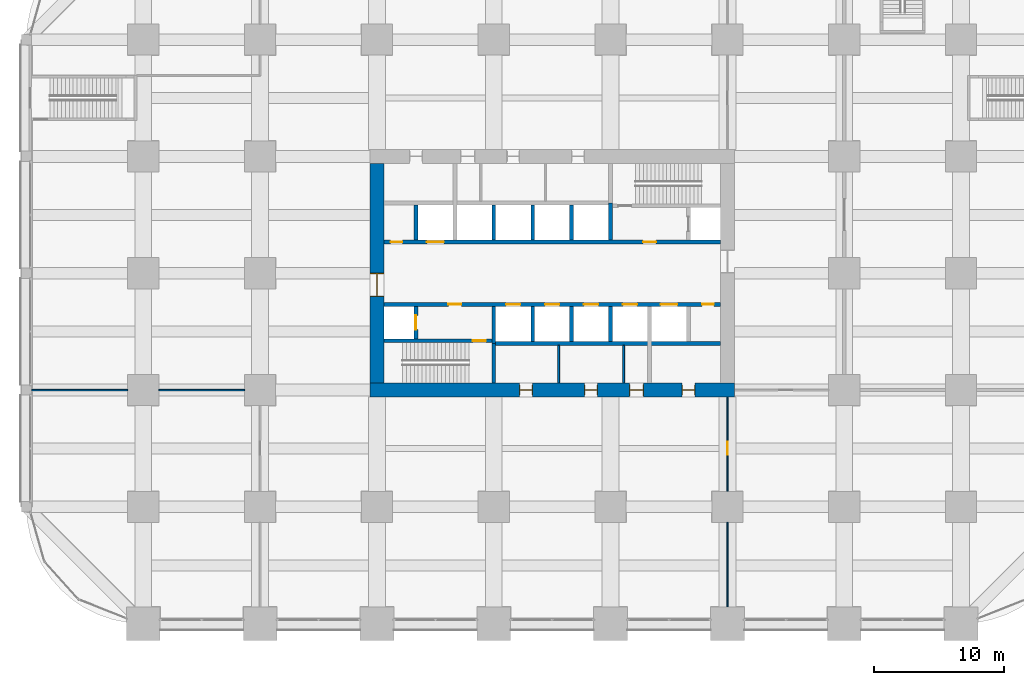
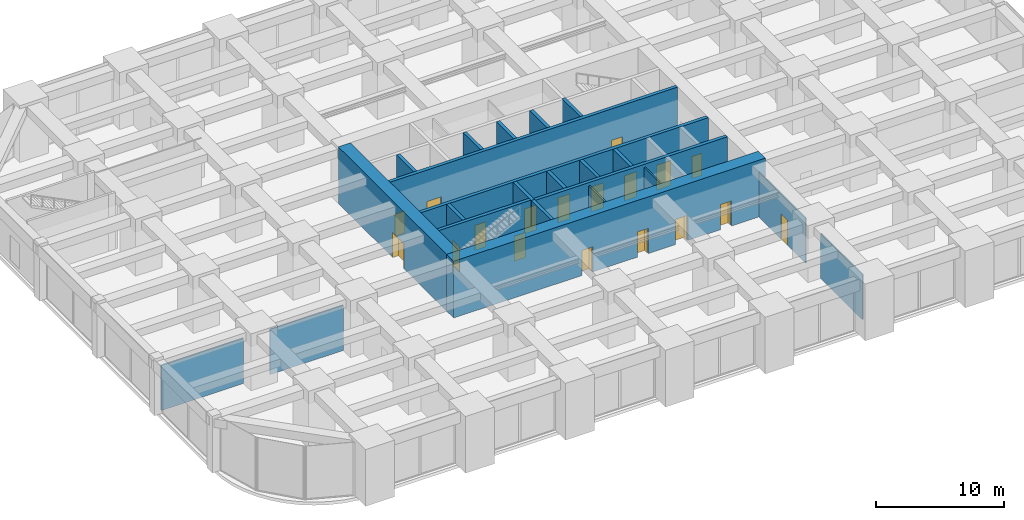
# One storey, part 42 of 45: 23 walls, 18 doors, 18 openings.
"""IFC4 building model written with IfcOpenShell, lengths in metres."""

from ifc_helpers import new_model, si_unit, direction, frame, frame_2d, origin, place, context, subcontext, project, spatial, rectangle, extrude, material, layer, layer_set, type_object, element, fill, save


model = new_model("IFC4")

# Units and contexts
model_context = context("Model", 3, precision=1e-05, world=origin(), true_north=direction((0.0, 1.0)))
body_context = subcontext(model_context, "Body", "Model", "MODEL_VIEW")
ifc_project = project(units=[si_unit("LENGTHUNIT", "METRE"), si_unit("AREAUNIT", "SQUARE_METRE"), si_unit("VOLUMEUNIT", "CUBIC_METRE"), si_unit("PLANEANGLEUNIT", "RADIAN"), si_unit("MASSUNIT", "GRAM", prefix="KILO")], contexts=[model_context])

# Site, building, storey
site_placement = place(None, origin())
site = spatial("IfcSite", under=ifc_project, at=site_placement, CompositionType="ELEMENT")
building_placement = place(site_placement, origin())
building = spatial("IfcBuilding", under=site, at=building_placement, Name="Zorevar Civic Tower", CompositionType="ELEMENT")
storey_placement = place(building_placement, frame((0.0, 0.0, 5.39990234375)))
storey = spatial("IfcBuildingStorey", under=building, at=storey_placement, Name="L01", CompositionType="ELEMENT", Elevation=5.39990234375)

# Wall, openings, doors
ifc_material_1 = material(Name="Concrete C50/60", Category="concrete")
ifc_layer_1 = layer(ifc_material_1, 1.10009765625)
ifc_layer_set_1 = layer_set([ifc_layer_1], Name="Core wall 1100")
wall_type_1 = type_object("IfcWallType", Name="Core wall 1100", PredefinedType="SHEAR", material=ifc_layer_set_1)
wall_1_placement = place(storey_placement, frame((17.449951171875, 18.0, 0.0), z_axis=(0.0, 0.0, 1.0), x_axis=(1.0, 0.0, 0.0)))
wall_1 = element("IfcWall", 1, at=wall_1_placement, inside=storey, type_object=wall_type_1, Name="Core wall S L01", PredefinedType="SHEAR", context=body_context, shape_type="SweptSolid", body=[
    extrude(rectangle(XDim=28.10009765625, YDim=1.10009765625, at=frame_2d((14.050048828125, 0.0))), origin(), (0.0, 0.0, 1.0), 5.400146484375),
])
opening_1_placement = place(wall_1_placement, frame((11.550048828125, 0.0, 0.0)))
opening_1 = element("IfcOpeningElement", 2, at=opening_1_placement, cuts=wall_1, Name="Opening L01.03", PredefinedType="OPENING", context=body_context, shape_type="SweptSolid", body=[
    extrude(rectangle(XDim=1.0, YDim=2.39990234375, at=frame_2d((0.5, 1.199951171875))), frame((0.0, 0.56005859375, 0.0), z_axis=(0.0, -1.0, 0.0), x_axis=(1.0, 0.0, 0.0)), (0.0, 0.0, 1.0), 1.1201171875),
])
opening_2_placement = place(wall_1_placement, frame((16.550048828125, 0.0, 0.0)))
opening_2 = element("IfcOpeningElement", 3, at=opening_2_placement, cuts=wall_1, Name="Opening L01.04", PredefinedType="OPENING", context=body_context, shape_type="SweptSolid", body=[
    extrude(rectangle(XDim=1.0, YDim=2.39990234375, at=frame_2d((0.5, 1.199951171875))), frame((0.0, 0.56005859375, 0.0), z_axis=(0.0, -1.0, 0.0), x_axis=(1.0, 0.0, 0.0)), (0.0, 0.0, 1.0), 1.1201171875),
])
opening_3_placement = place(wall_1_placement, frame((20.0, 0.0, 0.0)))
opening_3 = element("IfcOpeningElement", 4, at=opening_3_placement, cuts=wall_1, Name="Opening L01.05", PredefinedType="OPENING", context=body_context, shape_type="SweptSolid", body=[
    extrude(rectangle(XDim=1.10009765625, YDim=2.39990234375, at=frame_2d((0.550048828125, 1.199951171875))), frame((0.0, 0.56005859375, 0.0), z_axis=(0.0, -1.0, 0.0), x_axis=(1.0, 0.0, 0.0)), (0.0, 0.0, 1.0), 1.1201171875),
])
opening_4_placement = place(wall_1_placement, frame((24.050048828125, 0.0, 0.0)))
opening_4 = element("IfcOpeningElement", 5, at=opening_4_placement, cuts=wall_1, Name="Opening L01.06", PredefinedType="OPENING", context=body_context, shape_type="SweptSolid", body=[
    extrude(rectangle(XDim=1.0, YDim=2.39990234375, at=frame_2d((0.5, 1.199951171875))), frame((0.0, 0.56005859375, 0.0), z_axis=(0.0, -1.0, 0.0), x_axis=(1.0, 0.0, 0.0)), (0.0, 0.0, 1.0), 1.1201171875),
])
ifc_material_2 = material(Name="Timber door set", Category="wood")
door_type_1 = type_object("IfcDoorType", Name="Door D1 1000x2400", OperationType="SINGLE_SWING_LEFT", PredefinedType="DOOR", material=ifc_material_2)
door_1_placement = place(opening_1_placement, origin())
door_1 = element("IfcDoor", 6, at=door_1_placement, inside=storey, type_object=door_type_1, Name="Door L01 02", OperationType="SINGLE_SWING_LEFT", OverallHeight=2.39990234375, OverallWidth=1.0, PredefinedType="DOOR", context=body_context, shape_type="SweptSolid", body=[
    extrude(rectangle(XDim=1.0, YDim=2.39990234375, at=frame_2d((0.5, 1.199951171875))), frame((0.0, 0.02490234375, 0.0), z_axis=(0.0, -1.0, 0.0), x_axis=(1.0, 0.0, 0.0)), (0.0, 0.0, 1.0), 0.050048828125),
    extrude(rectangle(XDim=0.04, YDim=2.39990234375, at=frame_2d((0.02001953125, 1.199951171875))), frame((0.0, 0.39990234375, 0.0), z_axis=(0.0, -1.0, 0.0), x_axis=(1.0, 0.0, 0.0)), (0.0, 0.0, 1.0), 0.800048828125),
    extrude(rectangle(XDim=0.04, YDim=2.39990234375, at=frame_2d((0.97998046875, 1.199951171875))), frame((0.0, 0.39990234375, 0.0), z_axis=(0.0, -1.0, 0.0), x_axis=(1.0, 0.0, 0.0)), (0.0, 0.0, 1.0), 0.800048828125),
    extrude(rectangle(XDim=1.0, YDim=0.04, at=frame_2d((0.5, 2.3798828125))), frame((0.0, 0.39990234375, 0.0), z_axis=(0.0, -1.0, 0.0), x_axis=(1.0, 0.0, 0.0)), (0.0, 0.0, 1.0), 0.800048828125),
])
fill(opening_1, door_1)
door_2_placement = place(opening_2_placement, origin())
door_2 = element("IfcDoor", 7, at=door_2_placement, inside=storey, type_object=door_type_1, Name="Door L01 03", OperationType="SINGLE_SWING_RIGHT", OverallHeight=2.39990234375, OverallWidth=1.0, PredefinedType="DOOR", context=body_context, shape_type="SweptSolid", body=[
    extrude(rectangle(XDim=1.0, YDim=2.39990234375, at=frame_2d((0.5, 1.199951171875))), frame((0.0, 0.02490234375, 0.0), z_axis=(0.0, -1.0, 0.0), x_axis=(1.0, 0.0, 0.0)), (0.0, 0.0, 1.0), 0.050048828125),
    extrude(rectangle(XDim=0.04, YDim=2.39990234375, at=frame_2d((0.02001953125, 1.199951171875))), frame((0.0, 0.39990234375, 0.0), z_axis=(0.0, -1.0, 0.0), x_axis=(1.0, 0.0, 0.0)), (0.0, 0.0, 1.0), 0.800048828125),
    extrude(rectangle(XDim=0.04, YDim=2.39990234375, at=frame_2d((0.97998046875, 1.199951171875))), frame((0.0, 0.39990234375, 0.0), z_axis=(0.0, -1.0, 0.0), x_axis=(1.0, 0.0, 0.0)), (0.0, 0.0, 1.0), 0.800048828125),
    extrude(rectangle(XDim=1.0, YDim=0.04, at=frame_2d((0.5, 2.3798828125))), frame((0.0, 0.39990234375, 0.0), z_axis=(0.0, -1.0, 0.0), x_axis=(1.0, 0.0, 0.0)), (0.0, 0.0, 1.0), 0.800048828125),
])
fill(opening_2, door_2)
door_3_placement = place(opening_4_placement, origin())
door_3 = element("IfcDoor", 8, at=door_3_placement, inside=storey, type_object=door_type_1, Name="Door L01 05", OperationType="SINGLE_SWING_RIGHT", OverallHeight=2.39990234375, OverallWidth=1.0, PredefinedType="DOOR", context=body_context, shape_type="SweptSolid", body=[
    extrude(rectangle(XDim=1.0, YDim=2.39990234375, at=frame_2d((0.5, 1.199951171875))), frame((0.0, 0.02490234375, 0.0), z_axis=(0.0, -1.0, 0.0), x_axis=(1.0, 0.0, 0.0)), (0.0, 0.0, 1.0), 0.050048828125),
    extrude(rectangle(XDim=0.04, YDim=2.39990234375, at=frame_2d((0.02001953125, 1.199951171875))), frame((0.0, 0.39990234375, 0.0), z_axis=(0.0, -1.0, 0.0), x_axis=(1.0, 0.0, 0.0)), (0.0, 0.0, 1.0), 0.800048828125),
    extrude(rectangle(XDim=0.04, YDim=2.39990234375, at=frame_2d((0.97998046875, 1.199951171875))), frame((0.0, 0.39990234375, 0.0), z_axis=(0.0, -1.0, 0.0), x_axis=(1.0, 0.0, 0.0)), (0.0, 0.0, 1.0), 0.800048828125),
    extrude(rectangle(XDim=1.0, YDim=0.04, at=frame_2d((0.5, 2.3798828125))), frame((0.0, 0.39990234375, 0.0), z_axis=(0.0, -1.0, 0.0), x_axis=(1.0, 0.0, 0.0)), (0.0, 0.0, 1.0), 0.800048828125),
])
fill(opening_4, door_3)
ifc_material_3 = material(Name="Timber door set", Category="wood")
door_type_2 = type_object("IfcDoorType", Name="Door D5 1100x2400", OperationType="SINGLE_SWING_LEFT", PredefinedType="DOOR", material=ifc_material_3)
door_4_placement = place(opening_3_placement, origin())
door_4 = element("IfcDoor", 9, at=door_4_placement, inside=storey, type_object=door_type_2, Name="Door L01 04", OperationType="SINGLE_SWING_RIGHT", OverallHeight=2.39990234375, OverallWidth=1.10009765625, PredefinedType="DOOR", context=body_context, shape_type="SweptSolid", body=[
    extrude(rectangle(XDim=1.10009765625, YDim=2.39990234375, at=frame_2d((0.550048828125, 1.199951171875))), frame((0.0, 0.02490234375, 0.0), z_axis=(0.0, -1.0, 0.0), x_axis=(1.0, 0.0, 0.0)), (0.0, 0.0, 1.0), 0.050048828125),
    extrude(rectangle(XDim=0.04, YDim=2.39990234375, at=frame_2d((0.02001953125, 1.199951171875))), frame((0.0, 0.43994140625, 0.0), z_axis=(0.0, -1.0, 0.0), x_axis=(1.0, 0.0, 0.0)), (0.0, 0.0, 1.0), 0.880126953125),
    extrude(rectangle(XDim=0.04, YDim=2.39990234375, at=frame_2d((1.080078125, 1.199951171875))), frame((0.0, 0.43994140625, 0.0), z_axis=(0.0, -1.0, 0.0), x_axis=(1.0, 0.0, 0.0)), (0.0, 0.0, 1.0), 0.880126953125),
    extrude(rectangle(XDim=1.10009765625, YDim=0.04, at=frame_2d((0.550048828125, 2.3798828125))), frame((0.0, 0.43994140625, 0.0), z_axis=(0.0, -1.0, 0.0), x_axis=(1.0, 0.0, 0.0)), (0.0, 0.0, 1.0), 0.880126953125),
])
fill(opening_3, door_4)

# Wall, opening, door
wall_2_placement = place(storey_placement, frame((18.0, 35.449951171875, 0.0), z_axis=(0.0, 0.0, 1.0), x_axis=(0.0, -1.0, 0.0)))
wall_2 = element("IfcWall", 10, at=wall_2_placement, inside=storey, type_object=wall_type_1, Name="Core wall W L01", PredefinedType="SHEAR", context=body_context, shape_type="SweptSolid", body=[
    extrude(rectangle(XDim=16.89990234375, YDim=1.10009765625, at=frame_2d((8.449951171875, 0.0))), origin(), (0.0, 0.0, 1.0), 5.400146484375),
])
opening_5_placement = place(wall_2_placement, frame((8.449951171875, 0.0, 0.0)))
opening_5 = element("IfcOpeningElement", 11, at=opening_5_placement, cuts=wall_2, Name="Opening L01.01", PredefinedType="OPENING", context=body_context, shape_type="SweptSolid", body=[
    extrude(rectangle(XDim=1.800048828125, YDim=2.39990234375, at=frame_2d((0.89990234375, 1.199951171875))), frame((0.0, 0.56005859375, 0.0), z_axis=(0.0, -1.0, 0.0), x_axis=(1.0, 0.0, 0.0)), (0.0, 0.0, 1.0), 1.1201171875),
])
ifc_material_4 = material(Name="Steel door set", Category="steel")
door_type_3 = type_object("IfcDoorType", Name="Fire door FD2 1800x2400", OperationType="DOUBLE_DOOR_DOUBLE_SWING", PredefinedType="DOOR", material=ifc_material_4)
door_5_placement = place(opening_5_placement, origin())
door_5 = element("IfcDoor", 12, at=door_5_placement, inside=storey, type_object=door_type_3, Name="Door L01 00", OperationType="DOUBLE_DOOR_DOUBLE_SWING", OverallHeight=2.39990234375, OverallWidth=1.800048828125, PredefinedType="DOOR", context=body_context, shape_type="SweptSolid", body=[
    extrude(rectangle(XDim=1.800048828125, YDim=2.39990234375, at=frame_2d((0.89990234375, 1.199951171875))), frame((0.0, 0.030029296875, 0.0), z_axis=(0.0, -1.0, 0.0), x_axis=(1.0, 0.0, 0.0)), (0.0, 0.0, 1.0), 0.06005859375),
    extrude(rectangle(XDim=0.04, YDim=2.39990234375, at=frame_2d((0.02001953125, 1.199951171875))), frame((0.0, 0.5498046875, 0.0), z_axis=(0.0, -1.0, 0.0), x_axis=(1.0, 0.0, 0.0)), (0.0, 0.0, 1.0), 1.099609375),
    extrude(rectangle(XDim=0.04, YDim=2.39990234375, at=frame_2d((1.780029296875, 1.199951171875))), frame((0.0, 0.5498046875, 0.0), z_axis=(0.0, -1.0, 0.0), x_axis=(1.0, 0.0, 0.0)), (0.0, 0.0, 1.0), 1.099609375),
    extrude(rectangle(XDim=1.800048828125, YDim=0.04, at=frame_2d((0.89990234375, 2.3798828125))), frame((0.0, 0.5498046875, 0.0), z_axis=(0.0, -1.0, 0.0), x_axis=(1.0, 0.0, 0.0)), (0.0, 0.0, 1.0), 1.099609375),
])
fill(opening_5, door_5)

# Wall
ifc_material_5 = material(Name="Laminated glass in black aluminium frame", Category="aluminium")
ifc_layer_2 = layer(ifc_material_5, 0.10009765625)
ifc_layer_set_2 = layer_set([ifc_layer_2], Name="Glazed partition 100")
wall_type_2 = type_object("IfcWallType", Name="Glazed partition 100", PredefinedType="PARTITIONING", material=ifc_layer_set_2)
wall_3_placement = place(storey_placement, frame((45.0, 1.300048828125, 0.0), z_axis=(0.0, 0.0, 1.0), x_axis=(0.0, 1.0, 0.0)))
element("IfcWall", 13, at=wall_3_placement, inside=storey, type_object=wall_type_2, Name="Glazed partition 100 L01", PredefinedType="PARTITIONING", context=body_context, shape_type="SweptSolid", body=[
    extrude(rectangle(XDim=6.5, YDim=0.10009765625, at=frame_2d((3.25, 0.0))), origin(), (0.0, 0.0, 1.0), 4.300048828125),
])

# Wall, opening, door
wall_4_placement = place(storey_placement, frame((45.0, 10.199951171875, 0.0), z_axis=(0.0, 0.0, 1.0), x_axis=(0.0, 1.0, 0.0)))
wall_4 = element("IfcWall", 14, at=wall_4_placement, inside=storey, type_object=wall_type_2, Name="Glazed partition 100 L01", PredefinedType="PARTITIONING", context=body_context, shape_type="SweptSolid", body=[
    extrude(rectangle(XDim=7.25, YDim=0.10009765625, at=frame_2d((3.625, 0.0))), origin(), (0.0, 0.0, 1.0), 4.300048828125),
])
opening_6_placement = place(wall_4_placement, frame((2.800048828125, 0.0, 0.0)))
opening_6 = element("IfcOpeningElement", 15, at=opening_6_placement, cuts=wall_4, Name="Opening L01.19", PredefinedType="OPENING", context=body_context, shape_type="SweptSolid", body=[
    extrude(rectangle(XDim=1.0, YDim=2.39990234375, at=frame_2d((0.5, 1.199951171875))), frame((0.0, 0.06005859375, 0.0), z_axis=(0.0, -1.0, 0.0), x_axis=(1.0, 0.0, 0.0)), (0.0, 0.0, 1.0), 0.1201171875),
])
ifc_material_6 = material(Name="Timber door set", Category="wood")
door_type_4 = type_object("IfcDoorType", Name="Glazed door GD1 1000x2400", OperationType="SINGLE_SWING_LEFT", PredefinedType="DOOR", material=ifc_material_6)
door_6_placement = place(opening_6_placement, origin())
door_6 = element("IfcDoor", 16, at=door_6_placement, inside=storey, type_object=door_type_4, Name="Door L01 D5", OperationType="SINGLE_SWING_RIGHT", OverallHeight=2.39990234375, OverallWidth=1.0, PredefinedType="DOOR", context=body_context, shape_type="SweptSolid", body=[
    extrude(rectangle(XDim=1.0, YDim=2.39990234375, at=frame_2d((0.5, 1.199951171875))), frame((0.0, 0.02001953125, 0.0), z_axis=(0.0, -1.0, 0.0), x_axis=(1.0, 0.0, 0.0)), (0.0, 0.0, 1.0), 0.0400390625),
])
fill(opening_6, door_6)

ifc_material_7 = material(Name="Concrete C40/50", Category="concrete")
ifc_layer_3 = layer(ifc_material_7, 0.300048828125)
ifc_layer_set_3 = layer_set([ifc_layer_3], Name="Inner core wall 300")
wall_type_3 = type_object("IfcWallType", Name="Inner core wall 300", PredefinedType="SHEAR", material=ifc_layer_set_3)
wall_5_placement = place(storey_placement, frame((18.550048828125, 21.800048828125, 0.0), z_axis=(0.0, 0.0, 1.0), x_axis=(1.0, 0.0, 0.0)))
wall_5 = element("IfcWall", 17, at=wall_5_placement, inside=storey, type_object=wall_type_3, Name="Inner core wall S00 L01", PredefinedType="SHEAR", context=body_context, shape_type="SweptSolid", body=[
    extrude(rectangle(XDim=8.300048828125, YDim=0.300048828125, at=frame_2d((4.14990234375, 0.0))), origin(), (0.0, 0.0, 1.0), 5.400146484375),
])
opening_7_placement = place(wall_5_placement, frame((6.85009765625, 0.0, 0.0)))
opening_7 = element("IfcOpeningElement", 18, at=opening_7_placement, cuts=wall_5, Name="Opening L01.11", PredefinedType="OPENING", context=body_context, shape_type="SweptSolid", body=[
    extrude(rectangle(XDim=1.0, YDim=2.39990234375, at=frame_2d((0.5, 1.199951171875))), frame((0.0, 0.159912109375, 0.0), z_axis=(0.0, -1.0, 0.0), x_axis=(1.0, 0.0, 0.0)), (0.0, 0.0, 1.0), 0.320068359375),
])
ifc_material_8 = material(Name="Steel door set", Category="steel")
door_type_5 = type_object("IfcDoorType", Name="Fire door FD1 1000x2400", OperationType="SINGLE_SWING_LEFT", PredefinedType="DOOR", material=ifc_material_8)
door_7_placement = place(opening_7_placement, origin())
door_7 = element("IfcDoor", 19, at=door_7_placement, inside=storey, type_object=door_type_5, Name="Door L01 10", OperationType="SINGLE_SWING_RIGHT", OverallHeight=2.39990234375, OverallWidth=1.0, PredefinedType="DOOR", context=body_context, shape_type="SweptSolid", body=[
    extrude(rectangle(XDim=1.0, YDim=2.39990234375, at=frame_2d((0.5, 1.199951171875))), frame((0.0, 0.030029296875, 0.0), z_axis=(0.0, -1.0, 0.0), x_axis=(1.0, 0.0, 0.0)), (0.0, 0.0, 1.0), 0.06005859375),
])
fill(opening_7, door_7)

# Wall
wall_6_placement = place(storey_placement, frame((27.0, 18.550048828125, 0.0), z_axis=(0.0, 0.0, 1.0), x_axis=(0.0, 1.0, 0.0)))
element("IfcWall", 20, at=wall_6_placement, inside=storey, type_object=wall_type_3, Name="Inner core wall S01 L01", PredefinedType="SHEAR", context=body_context, shape_type="SweptSolid", body=[
    extrude(rectangle(XDim=3.050048828125, YDim=0.300048828125, at=frame_2d((1.52490234375, 0.0))), origin(), (0.0, 0.0, 1.0), 5.400146484375),
])

# Wall, opening, door
wall_7_placement = place(storey_placement, frame((21.0, 21.949951171875, 0.0), z_axis=(0.0, 0.0, 1.0), x_axis=(0.0, 1.0, 0.0)))
wall_7 = element("IfcWall", 21, at=wall_7_placement, inside=storey, type_object=wall_type_3, Name="Inner core wall S02 L01", PredefinedType="SHEAR", context=body_context, shape_type="SweptSolid", body=[
    extrude(rectangle(XDim=2.5, YDim=0.300048828125, at=frame_2d((1.25, 0.0))), origin(), (0.0, 0.0, 1.0), 5.400146484375),
])
opening_8_placement = place(wall_7_placement, frame((0.699951171875, 0.0, 0.0)))
opening_8 = element("IfcOpeningElement", 22, at=opening_8_placement, cuts=wall_7, Name="Opening L01.FL1", PredefinedType="OPENING", context=body_context, shape_type="SweptSolid", body=[
    extrude(rectangle(XDim=1.10009765625, YDim=2.39990234375, at=frame_2d((0.550048828125, 1.199951171875))), frame((0.0, 0.159912109375, 0.0), z_axis=(0.0, -1.0, 0.0), x_axis=(1.0, 0.0, 0.0)), (0.0, 0.0, 1.0), 0.320068359375),
])
ifc_material_9 = material(Name="Steel door set", Category="steel")
door_type_6 = type_object("IfcDoorType", Name="Firefighting lift landing door LD3 1100x2400", OperationType="DOUBLE_DOOR_SLIDING", PredefinedType="DOOR", material=ifc_material_9)
door_8_placement = place(opening_8_placement, origin())
door_8 = element("IfcDoor", 23, at=door_8_placement, inside=storey, type_object=door_type_6, Name="Landing door FL1 L01", OperationType="DOUBLE_DOOR_SLIDING", OverallHeight=2.39990234375, OverallWidth=1.10009765625, PredefinedType="DOOR", context=body_context, shape_type="SweptSolid", body=[
    extrude(rectangle(XDim=1.10009765625, YDim=2.39990234375, at=frame_2d((0.550048828125, 1.199951171875))), frame((0.0, 0.030029296875, 0.0), z_axis=(0.0, -1.0, 0.0), x_axis=(1.0, 0.0, 0.0)), (0.0, 0.0, 1.0), 0.06005859375),
])
fill(opening_8, door_8)

# Wall, openings, doors
wall_8_placement = place(storey_placement, frame((18.550048828125, 24.60009765625, 0.0), z_axis=(0.0, 0.0, 1.0), x_axis=(1.0, 0.0, 0.0)))
wall_8 = element("IfcWall", 24, at=wall_8_placement, inside=storey, type_object=wall_type_3, Name="Inner core wall S03 L01", PredefinedType="SHEAR", context=body_context, shape_type="SweptSolid", body=[
    extrude(rectangle(XDim=25.89990234375, YDim=0.300048828125, at=frame_2d((12.949951171875, 0.0))), origin(), (0.0, 0.0, 1.0), 5.400146484375),
])
opening_9_placement = place(wall_8_placement, frame((4.949951171875, 0.0, 0.0)))
opening_9 = element("IfcOpeningElement", 25, at=opening_9_placement, cuts=wall_8, Name="Opening L01.13", PredefinedType="OPENING", context=body_context, shape_type="SweptSolid", body=[
    extrude(rectangle(XDim=1.0, YDim=2.39990234375, at=frame_2d((0.5, 1.199951171875))), frame((0.0, 0.159912109375, 0.0), z_axis=(0.0, -1.0, 0.0), x_axis=(1.0, 0.0, 0.0)), (0.0, 0.0, 1.0), 0.320068359375),
])
opening_10_placement = place(wall_8_placement, frame((24.5, 0.0, 0.0)))
opening_10 = element("IfcOpeningElement", 26, at=opening_10_placement, cuts=wall_8, Name="Opening L01.15", PredefinedType="OPENING", context=body_context, shape_type="SweptSolid", body=[
    extrude(rectangle(XDim=0.89990234375, YDim=2.10009765625, at=frame_2d((0.449951171875, 1.050048828125))), frame((0.0, 0.159912109375, 0.0), z_axis=(0.0, -1.0, 0.0), x_axis=(1.0, 0.0, 0.0)), (0.0, 0.0, 1.0), 0.320068359375),
])
opening_11_placement = place(wall_8_placement, frame((9.39990234375, 0.0, 0.0)))
opening_11 = element("IfcOpeningElement", 27, at=opening_11_placement, cuts=wall_8, Name="Opening L01.LP1", PredefinedType="OPENING", context=body_context, shape_type="SweptSolid", body=[
    extrude(rectangle(XDim=1.10009765625, YDim=2.39990234375, at=frame_2d((0.550048828125, 1.199951171875))), frame((0.0, 0.159912109375, 0.0), z_axis=(0.0, -1.0, 0.0), x_axis=(1.0, 0.0, 0.0)), (0.0, 0.0, 1.0), 0.320068359375),
])
opening_12_placement = place(wall_8_placement, frame((12.39990234375, 0.0, 0.0)))
opening_12 = element("IfcOpeningElement", 28, at=opening_12_placement, cuts=wall_8, Name="Opening L01.LP2", PredefinedType="OPENING", context=body_context, shape_type="SweptSolid", body=[
    extrude(rectangle(XDim=1.10009765625, YDim=2.39990234375, at=frame_2d((0.550048828125, 1.199951171875))), frame((0.0, 0.159912109375, 0.0), z_axis=(0.0, -1.0, 0.0), x_axis=(1.0, 0.0, 0.0)), (0.0, 0.0, 1.0), 0.320068359375),
])
opening_13_placement = place(wall_8_placement, frame((15.39990234375, 0.0, 0.0)))
opening_13 = element("IfcOpeningElement", 29, at=opening_13_placement, cuts=wall_8, Name="Opening L01.LP3", PredefinedType="OPENING", context=body_context, shape_type="SweptSolid", body=[
    extrude(rectangle(XDim=1.10009765625, YDim=2.39990234375, at=frame_2d((0.550048828125, 1.199951171875))), frame((0.0, 0.159912109375, 0.0), z_axis=(0.0, -1.0, 0.0), x_axis=(1.0, 0.0, 0.0)), (0.0, 0.0, 1.0), 0.320068359375),
])
opening_14_placement = place(wall_8_placement, frame((18.39990234375, 0.0, 0.0)))
opening_14 = element("IfcOpeningElement", 30, at=opening_14_placement, cuts=wall_8, Name="Opening L01.LP4", PredefinedType="OPENING", context=body_context, shape_type="SweptSolid", body=[
    extrude(rectangle(XDim=1.10009765625, YDim=2.39990234375, at=frame_2d((0.550048828125, 1.199951171875))), frame((0.0, 0.159912109375, 0.0), z_axis=(0.0, -1.0, 0.0), x_axis=(1.0, 0.0, 0.0)), (0.0, 0.0, 1.0), 0.320068359375),
])
opening_15_placement = place(wall_8_placement, frame((21.300048828125, 0.0, 0.0)))
opening_15 = element("IfcOpeningElement", 31, at=opening_15_placement, cuts=wall_8, Name="Opening L01.SL1", PredefinedType="OPENING", context=body_context, shape_type="SweptSolid", body=[
    extrude(rectangle(XDim=1.300048828125, YDim=2.39990234375, at=frame_2d((0.64990234375, 1.199951171875))), frame((0.0, 0.159912109375, 0.0), z_axis=(0.0, -1.0, 0.0), x_axis=(1.0, 0.0, 0.0)), (0.0, 0.0, 1.0), 0.320068359375),
])
door_9_placement = place(opening_9_placement, origin())
door_9 = element("IfcDoor", 32, at=door_9_placement, inside=storey, type_object=door_type_5, Name="Door L01 12", OperationType="SINGLE_SWING_RIGHT", OverallHeight=2.39990234375, OverallWidth=1.0, PredefinedType="DOOR", context=body_context, shape_type="SweptSolid", body=[
    extrude(rectangle(XDim=1.0, YDim=2.39990234375, at=frame_2d((0.5, 1.199951171875))), frame((0.0, 0.030029296875, 0.0), z_axis=(0.0, -1.0, 0.0), x_axis=(1.0, 0.0, 0.0)), (0.0, 0.0, 1.0), 0.06005859375),
])
fill(opening_9, door_9)
ifc_material_10 = material(Name="Steel door set", Category="steel")
door_type_7 = type_object("IfcDoorType", Name="Landing door LD1 1100x2400", OperationType="DOUBLE_DOOR_SLIDING", PredefinedType="DOOR", material=ifc_material_10)
door_10_placement = place(opening_11_placement, origin())
door_10 = element("IfcDoor", 33, at=door_10_placement, inside=storey, type_object=door_type_7, Name="Landing door LP1 L01", OperationType="DOUBLE_DOOR_SLIDING", OverallHeight=2.39990234375, OverallWidth=1.10009765625, PredefinedType="DOOR", context=body_context, shape_type="SweptSolid", body=[
    extrude(rectangle(XDim=1.10009765625, YDim=2.39990234375, at=frame_2d((0.550048828125, 1.199951171875))), frame((0.0, 0.02001953125, 0.0), z_axis=(0.0, -1.0, 0.0), x_axis=(1.0, 0.0, 0.0)), (0.0, 0.0, 1.0), 0.0400390625),
])
fill(opening_11, door_10)
door_11_placement = place(opening_12_placement, origin())
door_11 = element("IfcDoor", 34, at=door_11_placement, inside=storey, type_object=door_type_7, Name="Landing door LP2 L01", OperationType="DOUBLE_DOOR_SLIDING", OverallHeight=2.39990234375, OverallWidth=1.10009765625, PredefinedType="DOOR", context=body_context, shape_type="SweptSolid", body=[
    extrude(rectangle(XDim=1.10009765625, YDim=2.39990234375, at=frame_2d((0.550048828125, 1.199951171875))), frame((0.0, 0.02001953125, 0.0), z_axis=(0.0, -1.0, 0.0), x_axis=(1.0, 0.0, 0.0)), (0.0, 0.0, 1.0), 0.0400390625),
])
fill(opening_12, door_11)
door_12_placement = place(opening_13_placement, origin())
door_12 = element("IfcDoor", 35, at=door_12_placement, inside=storey, type_object=door_type_7, Name="Landing door LP3 L01", OperationType="DOUBLE_DOOR_SLIDING", OverallHeight=2.39990234375, OverallWidth=1.10009765625, PredefinedType="DOOR", context=body_context, shape_type="SweptSolid", body=[
    extrude(rectangle(XDim=1.10009765625, YDim=2.39990234375, at=frame_2d((0.550048828125, 1.199951171875))), frame((0.0, 0.02001953125, 0.0), z_axis=(0.0, -1.0, 0.0), x_axis=(1.0, 0.0, 0.0)), (0.0, 0.0, 1.0), 0.0400390625),
])
fill(opening_13, door_12)
door_13_placement = place(opening_14_placement, origin())
door_13 = element("IfcDoor", 36, at=door_13_placement, inside=storey, type_object=door_type_7, Name="Landing door LP4 L01", OperationType="DOUBLE_DOOR_SLIDING", OverallHeight=2.39990234375, OverallWidth=1.10009765625, PredefinedType="DOOR", context=body_context, shape_type="SweptSolid", body=[
    extrude(rectangle(XDim=1.10009765625, YDim=2.39990234375, at=frame_2d((0.550048828125, 1.199951171875))), frame((0.0, 0.02001953125, 0.0), z_axis=(0.0, -1.0, 0.0), x_axis=(1.0, 0.0, 0.0)), (0.0, 0.0, 1.0), 0.0400390625),
])
fill(opening_14, door_13)
ifc_material_11 = material(Name="Steel door set", Category="steel")
door_type_8 = type_object("IfcDoorType", Name="Landing door LD2 1300x2400", OperationType="DOUBLE_DOOR_SLIDING", PredefinedType="DOOR", material=ifc_material_11)
door_14_placement = place(opening_15_placement, origin())
door_14 = element("IfcDoor", 37, at=door_14_placement, inside=storey, type_object=door_type_8, Name="Landing door SL1 L01", OperationType="DOUBLE_DOOR_SLIDING", OverallHeight=2.39990234375, OverallWidth=1.300048828125, PredefinedType="DOOR", context=body_context, shape_type="SweptSolid", body=[
    extrude(rectangle(XDim=1.300048828125, YDim=2.39990234375, at=frame_2d((0.64990234375, 1.199951171875))), frame((0.0, 0.02001953125, 0.0), z_axis=(0.0, -1.0, 0.0), x_axis=(1.0, 0.0, 0.0)), (0.0, 0.0, 1.0), 0.0400390625),
])
fill(opening_15, door_14)
ifc_material_12 = material(Name="Steel door set", Category="steel")
door_type_9 = type_object("IfcDoorType", Name="Riser door RD1 900x2100", OperationType="SINGLE_SWING_LEFT", PredefinedType="DOOR", material=ifc_material_12)
door_15_placement = place(opening_10_placement, origin())
door_15 = element("IfcDoor", 38, at=door_15_placement, inside=storey, type_object=door_type_9, Name="Door L01 14", OperationType="SINGLE_SWING_RIGHT", OverallHeight=2.10009765625, OverallWidth=0.89990234375, PredefinedType="DOOR", context=body_context, shape_type="SweptSolid", body=[
    extrude(rectangle(XDim=0.89990234375, YDim=2.10009765625, at=frame_2d((0.449951171875, 1.050048828125))), frame((0.0, 0.030029296875, 0.0), z_axis=(0.0, -1.0, 0.0), x_axis=(1.0, 0.0, 0.0)), (0.0, 0.0, 1.0), 0.06005859375),
])
fill(opening_10, door_15)

wall_9_placement = place(storey_placement, frame((18.550048828125, 29.39990234375, 0.0), z_axis=(0.0, 0.0, 1.0), x_axis=(1.0, 0.0, 0.0)))
wall_9 = element("IfcWall", 39, at=wall_9_placement, inside=storey, type_object=wall_type_3, Name="Inner core wall N03 L01", PredefinedType="SHEAR", context=body_context, shape_type="SweptSolid", body=[
    extrude(rectangle(XDim=25.89990234375, YDim=0.300048828125, at=frame_2d((12.949951171875, 0.0))), origin(), (0.0, 0.0, 1.0), 5.400146484375),
])
opening_16_placement = place(wall_9_placement, frame((19.949951171875, 0.0, 0.0)))
opening_16 = element("IfcOpeningElement", 40, at=opening_16_placement, cuts=wall_9, Name="Opening L01.14", PredefinedType="OPENING", context=body_context, shape_type="SweptSolid", body=[
    extrude(rectangle(XDim=1.0, YDim=2.39990234375, at=frame_2d((0.5, 1.199951171875))), frame((0.0, 0.159912109375, 0.0), z_axis=(0.0, -1.0, 0.0), x_axis=(1.0, 0.0, 0.0)), (0.0, 0.0, 1.0), 0.320068359375),
])
opening_17_placement = place(wall_9_placement, frame((0.5, 0.0, 0.0)))
opening_17 = element("IfcOpeningElement", 41, at=opening_17_placement, cuts=wall_9, Name="Opening L01.16", PredefinedType="OPENING", context=body_context, shape_type="SweptSolid", body=[
    extrude(rectangle(XDim=0.89990234375, YDim=2.10009765625, at=frame_2d((0.449951171875, 1.050048828125))), frame((0.0, 0.159912109375, 0.0), z_axis=(0.0, -1.0, 0.0), x_axis=(1.0, 0.0, 0.0)), (0.0, 0.0, 1.0), 0.320068359375),
])
opening_18_placement = place(wall_9_placement, frame((3.300048828125, 0.0, 0.0)))
opening_18 = element("IfcOpeningElement", 42, at=opening_18_placement, cuts=wall_9, Name="Opening L01.SL2", PredefinedType="OPENING", context=body_context, shape_type="SweptSolid", body=[
    extrude(rectangle(XDim=1.300048828125, YDim=2.39990234375, at=frame_2d((0.64990234375, 1.199951171875))), frame((0.0, 0.159912109375, 0.0), z_axis=(0.0, -1.0, 0.0), x_axis=(1.0, 0.0, 0.0)), (0.0, 0.0, 1.0), 0.320068359375),
])
door_16_placement = place(opening_16_placement, origin())
door_16 = element("IfcDoor", 43, at=door_16_placement, inside=storey, type_object=door_type_5, Name="Door L01 13", OperationType="SINGLE_SWING_RIGHT", OverallHeight=2.39990234375, OverallWidth=1.0, PredefinedType="DOOR", context=body_context, shape_type="SweptSolid", body=[
    extrude(rectangle(XDim=1.0, YDim=2.39990234375, at=frame_2d((0.5, 1.199951171875))), frame((0.0, 0.030029296875, 0.0), z_axis=(0.0, -1.0, 0.0), x_axis=(1.0, 0.0, 0.0)), (0.0, 0.0, 1.0), 0.06005859375),
])
fill(opening_16, door_16)
door_17_placement = place(opening_18_placement, origin())
door_17 = element("IfcDoor", 44, at=door_17_placement, inside=storey, type_object=door_type_8, Name="Landing door SL2 L01", OperationType="DOUBLE_DOOR_SLIDING", OverallHeight=2.39990234375, OverallWidth=1.300048828125, PredefinedType="DOOR", context=body_context, shape_type="SweptSolid", body=[
    extrude(rectangle(XDim=1.300048828125, YDim=2.39990234375, at=frame_2d((0.64990234375, 1.199951171875))), frame((0.0, 0.02001953125, 0.0), z_axis=(0.0, -1.0, 0.0), x_axis=(1.0, 0.0, 0.0)), (0.0, 0.0, 1.0), 0.0400390625),
])
fill(opening_18, door_17)
door_18_placement = place(opening_17_placement, origin())
door_18 = element("IfcDoor", 45, at=door_18_placement, inside=storey, type_object=door_type_9, Name="Door L01 15", OperationType="SINGLE_SWING_RIGHT", OverallHeight=2.10009765625, OverallWidth=0.89990234375, PredefinedType="DOOR", context=body_context, shape_type="SweptSolid", body=[
    extrude(rectangle(XDim=0.89990234375, YDim=2.10009765625, at=frame_2d((0.449951171875, 1.050048828125))), frame((0.0, 0.030029296875, 0.0), z_axis=(0.0, -1.0, 0.0), x_axis=(1.0, 0.0, 0.0)), (0.0, 0.0, 1.0), 0.06005859375),
])
fill(opening_17, door_18)

# Walls
wall_10_placement = place(storey_placement, frame((27.14990234375, 21.60009765625, 0.0), z_axis=(0.0, 0.0, 1.0), x_axis=(1.0, 0.0, 0.0)))
element("IfcWall", 46, at=wall_10_placement, inside=storey, type_object=wall_type_3, Name="Inner core wall S04 L01", PredefinedType="SHEAR", context=body_context, shape_type="SweptSolid", body=[
    extrude(rectangle(XDim=17.300048828125, YDim=0.300048828125, at=frame_2d((8.64990234375, 0.0))), origin(), (0.0, 0.0, 1.0), 5.400146484375),
])
for number, where, z_axis, x_axis, name in (
    (47, (30.0, 21.75, 0.0), (0.0, 0.0, 1.0), (0.0, 1.0, 0.0), "Inner core wall S05 L01"),
    (48, (33.0, 29.550048828125, 0.0), (0.0, 0.0, 1.0), (0.0, 1.0, 0.0), "Inner core wall N05 L01"),
    (49, (33.0, 21.75, 0.0), (0.0, 0.0, 1.0), (0.0, 1.0, 0.0), "Inner core wall S06 L01"),
    (50, (30.0, 29.550048828125, 0.0), (0.0, 0.0, 1.0), (0.0, 1.0, 0.0), "Inner core wall N06 L01"),
    (51, (36.0, 21.75, 0.0), (0.0, 0.0, 1.0), (0.0, 1.0, 0.0), "Inner core wall S07 L01"),
    (52, (27.0, 29.550048828125, 0.0), (0.0, 0.0, 1.0), (0.0, 1.0, 0.0), "Inner core wall N07 L01"),
    (53, (21.0, 29.550048828125, 0.0), (0.0, 0.0, 1.0), (0.0, 1.0, 0.0), "Inner core wall N09 L01"),
):
    element("IfcWall", number, at=place(storey_placement, frame(where, z_axis=z_axis, x_axis=x_axis)), inside=storey, type_object=wall_type_3, Name=name, PredefinedType="SHEAR", context=body_context, shape_type="SweptSolid", body=[
        extrude(rectangle(XDim=2.699951171875, YDim=0.300048828125, at=frame_2d((1.35009765625, 0.0))), origin(), (0.0, 0.0, 1.0), 5.400146484375),
    ])
for number, where, z_axis, x_axis, name in (
    (54, (27.0, 21.60009765625, 0.0), (0.0, 0.0, 1.0), (0.0, 1.0, 0.0), "Inner core wall S10 L01"),
    (55, (36.0, 29.550048828125, 0.0), (0.0, 0.0, 1.0), (0.0, 1.0, 0.0), "Inner core wall N10 L01"),
):
    element("IfcWall", number, at=place(storey_placement, frame(where, z_axis=z_axis, x_axis=x_axis)), inside=storey, type_object=wall_type_3, Name=name, PredefinedType="SHEAR", context=body_context, shape_type="SweptSolid", body=[
        extrude(rectangle(XDim=2.849853515625, YDim=0.300048828125, at=frame_2d((1.4248046875, 0.0))), origin(), (0.0, 0.0, 1.0), 5.400146484375),
    ])
ifc_material_13 = material(Name="Gypsum board on steel studs", Category="steel")
ifc_layer_4 = layer(ifc_material_13, 0.1201171875)
ifc_layer_set_4 = layer_set([ifc_layer_4], Name="Partition 120")
wall_type_4 = type_object("IfcWallType", Name="Partition 120", PredefinedType="PARTITIONING", material=ifc_layer_set_4)
wall_11_placement = place(storey_placement, frame((-8.60009765625, 18.0, 0.0), z_axis=(0.0, 0.0, 1.0), x_axis=(1.0, 0.0, 0.0)))
element("IfcWall", 56, at=wall_11_placement, inside=storey, type_object=wall_type_4, Name="Partition 120 L01", PredefinedType="PARTITIONING", context=body_context, shape_type="SweptSolid", body=[
    extrude(rectangle(XDim=7.400146484375, YDim=0.1201171875, at=frame_2d((3.7001953125, 0.0))), origin(), (0.0, 0.0, 1.0), 4.300048828125),
])
wall_12_placement = place(storey_placement, frame((1.199951171875, 18.0, 0.0), z_axis=(0.0, 0.0, 1.0), x_axis=(1.0, 0.0, 0.0)))
element("IfcWall", 57, at=wall_12_placement, inside=storey, type_object=wall_type_4, Name="Partition 120 L01", PredefinedType="PARTITIONING", context=body_context, shape_type="SweptSolid", body=[
    extrude(rectangle(XDim=6.60009765625, YDim=0.1201171875, at=frame_2d((3.300048828125, 0.0))), origin(), (0.0, 0.0, 1.0), 4.300048828125),
])
ifc_material_14 = material(Name="Gypsum board on steel studs, moisture resistant", Category="steel")
ifc_layer_5 = layer(ifc_material_14, 0.14990234375)
ifc_layer_set_5 = layer_set([ifc_layer_5], Name="WC partition 150")
wall_type_5 = type_object("IfcWallType", Name="WC partition 150", PredefinedType="PARTITIONING", material=ifc_layer_set_5)
for number, where, z_axis, x_axis, name in (
    (58, (32.0, 18.550048828125, 0.0), (0.0, 0.0, 1.0), (0.0, 1.0, 0.0), "WC partition L01"),
    (59, (37.0, 18.550048828125, 0.0), (0.0, 0.0, 1.0), (0.0, 1.0, 0.0), "WC partition L01"),
):
    element("IfcWall", number, at=place(storey_placement, frame(where, z_axis=z_axis, x_axis=x_axis)), inside=storey, type_object=wall_type_5, Name=name, PredefinedType="PARTITIONING", context=body_context, shape_type="SweptSolid", body=[
        extrude(rectangle(XDim=2.89990234375, YDim=0.14990234375, at=frame_2d((1.449951171875, 0.0))), origin(), (0.0, 0.0, 1.0), 5.10009765625),
    ])

save(model, "model.ifc")
